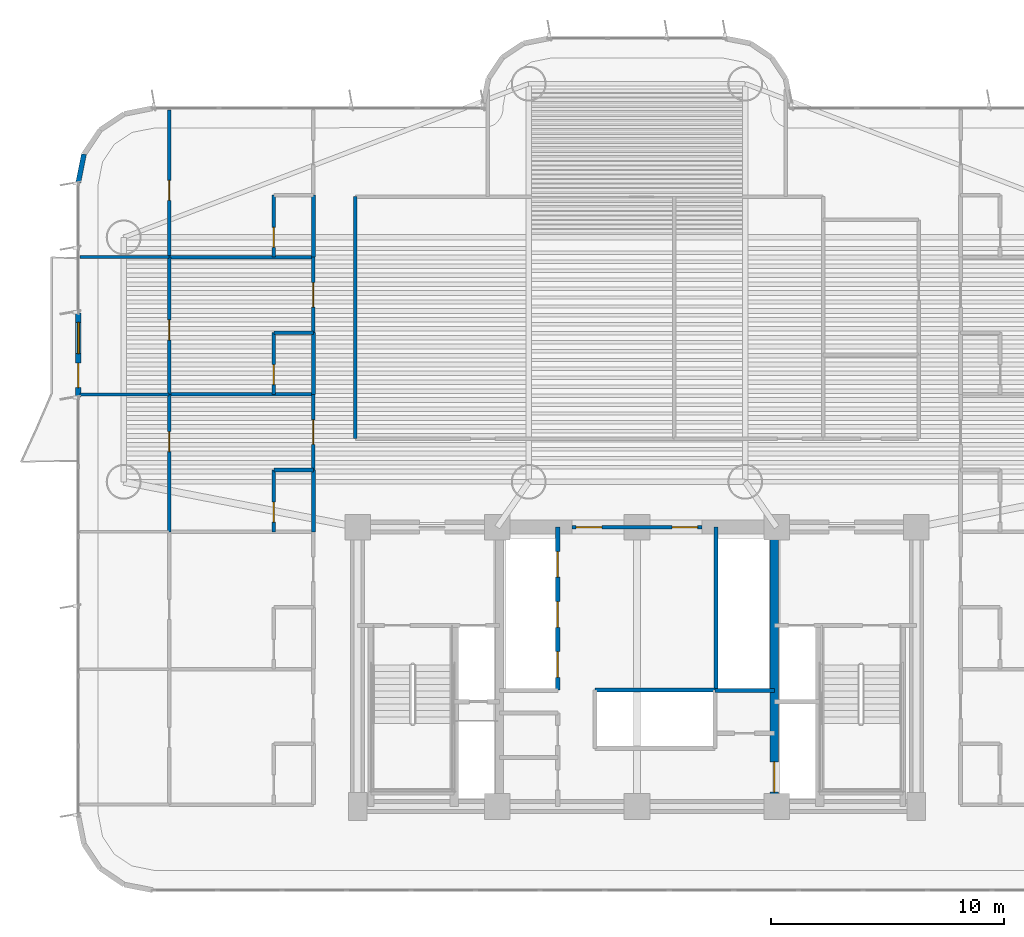
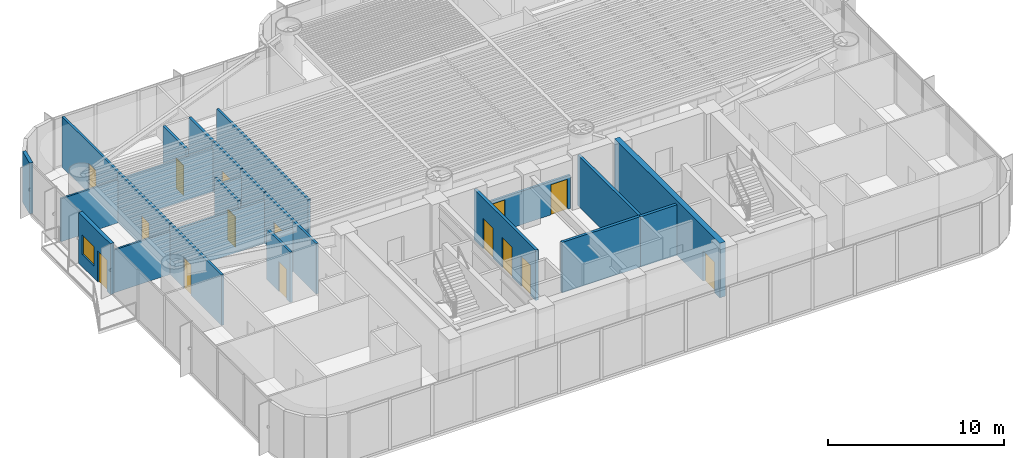
# One storey, part 11 of 18: 26 walls, 15 doors, 1 window, 16 openings.
"""IFC4 building model written with IfcOpenShell, lengths in metres."""

from ifc_helpers import new_model, si_unit, direction, frame, frame_2d, origin, origin_2d, place, context, subcontext, project, spatial, rectangle, extrude, source, transform, mapped, material, layer, layer_set, type_object, element, fill, save


model = new_model("IFC4")

# Units and contexts
model_context = context("Model", 3, precision=1e-05, world=origin(), true_north=direction((0.0, 1.0)))
body_context = subcontext(model_context, "Body", "Model", "MODEL_VIEW")
ifc_project = project(units=[si_unit("LENGTHUNIT", "METRE"), si_unit("AREAUNIT", "SQUARE_METRE"), si_unit("VOLUMEUNIT", "CUBIC_METRE"), si_unit("PLANEANGLEUNIT", "RADIAN"), si_unit("MASSUNIT", "GRAM", prefix="KILO")], contexts=[model_context])

# Site, building, storey
site_placement = place(None, origin())
site = spatial("IfcSite", under=ifc_project, at=site_placement, CompositionType="ELEMENT")
building_placement = place(site_placement, origin())
building = spatial("IfcBuilding", under=site, at=building_placement, Name="Brelvock Crest Care Tower", CompositionType="ELEMENT")
storey_placement = place(building_placement, frame((0.0, 0.0, 42.1201171875)))
storey = spatial("IfcBuildingStorey", under=building, at=storey_placement, Name="L10", CompositionType="ELEMENT", Elevation=42.1201171875)

# Wall, opening, door
ifc_material_1 = material(Name="Concrete S80 (80 MPa)", Category="concrete")
ifc_layer_1 = layer(ifc_material_1, 0.35009765625, Name="WL-CS5")
ifc_layer_set_1 = layer_set([ifc_layer_1], Name="Concrete S80 (80 MPa)")
wall_type_1 = type_object("IfcWallType", Name="WL-CS5", PredefinedType="SHEAR", material=ifc_layer_set_1)
wall_1_placement = place(storey_placement, frame((41.89990234375, 18.0, 0.0), z_axis=(0.0, 0.0, 1.0), x_axis=(0.0, -1.0, 0.0)))
wall_1 = element("IfcWall", 1, at=wall_1_placement, inside=storey, type_object=wall_type_1, Name="L10 Core Internal Web Wall East", PredefinedType="SHEAR", context=body_context, shape_type="SweptSolid", body=[
    extrude(rectangle(XDim=12.0, YDim=0.35009765625, at=frame_2d((6.0, 0.0))), origin(), (0.0, 0.0, 1.0), 3.77978515625),
])
opening_1_placement = place(wall_1_placement, frame((10.080078125, 0.0, 0.0)))
opening_1 = element("IfcOpeningElement", 2, at=opening_1_placement, cuts=wall_1, Name="Opening LD-S", PredefinedType="OPENING", context=body_context, shape_type="SweptSolid", body=[
    extrude(rectangle(XDim=1.300048828125, YDim=2.10009765625, at=origin_2d()), frame((0.64990234375, 0.18505859375, 1.050048828125), z_axis=(0.0, -1.0, 0.0), x_axis=(1.0, 0.0, 0.0)), (0.0, 0.0, 1.0), 0.3701171875),
])
ifc_material_2 = material(Name="Steel Grade 350", Category="steel")
door_type_1 = type_object("IfcDoorType", Name="DR-LDS1", OperationType="NOTDEFINED", PredefinedType="DOOR", material=ifc_material_2)
shared_shape_1 = source(origin(), body_context, "Body", "SweptSolid", [
    extrude(rectangle(XDim=1.300048828125, YDim=2.10009765625, at=origin_2d()), frame((0.64990234375, 0.02490234375, 1.050048828125), z_axis=(0.0, -1.0, 0.0), x_axis=(1.0, 0.0, 0.0)), (0.0, 0.0, 1.0), 0.050048828125),
])
door_1_placement = place(opening_1_placement, origin())
door_1 = element("IfcDoor", 3, at=door_1_placement, inside=storey, type_object=door_type_1, Name="L10 Clinical Bed Lift SL-1 Landing Door", OperationType="SLIDING_TO_LEFT", OverallHeight=2.10009765625, OverallWidth=1.300048828125, PredefinedType="DOOR", context=body_context, shape_type="MappedRepresentation", body=[
    mapped(shared_shape_1, transform((0.0, 0.0, 0.0), x_axis=(1.0, 0.0, 0.0), y_axis=(0.0, 1.0, 0.0), z_axis=(0.0, 0.0, 1.0), scale=1.0)),
])
fill(opening_1, door_1)

# Wall, openings, door, window
ifc_material_3 = material(Name="Precast concrete N40 (40 MPa)", Category="concrete")
ifc_layer_2 = layer(ifc_material_3, 0.239990234375, Name="WL-EX1")
ifc_layer_set_2 = layer_set([ifc_layer_2], Name="Precast concrete N40 (40 MPa)")
wall_type_2 = type_object("IfcWallType", Name="WL-EX1", PredefinedType="SOLIDWALL", material=ifc_layer_set_2)
wall_2_placement = place(storey_placement, frame((12.0, 23.60009765625, 0.0), z_axis=(0.0, 0.0, 1.0), x_axis=(0.0, 1.0, 0.0)))
wall_2 = element("IfcWall", 4, at=wall_2_placement, inside=storey, type_object=wall_type_2, Name="L10 Exterior Spandrel Wall WL-BAL-L10-W", PredefinedType="SOLIDWALL", context=body_context, shape_type="SweptSolid", body=[
    extrude(rectangle(XDim=3.599853515625, YDim=0.239990234375, at=frame_2d((1.7998046875, 0.0))), origin(), (0.0, 0.0, 1.0), 3.52978515625),
])
opening_2_placement = place(wall_2_placement, frame((0.39990234375, 0.0, 0.0)))
opening_2 = element("IfcOpeningElement", 5, at=opening_2_placement, cuts=wall_2, Name="Opening BD-1", PredefinedType="OPENING", context=body_context, shape_type="SweptSolid", body=[
    extrude(rectangle(XDim=1.050048828125, YDim=2.14990234375, at=origin_2d()), frame((0.52490234375, 0.1298828125, 1.074951171875), z_axis=(0.0, -1.0, 0.0), x_axis=(1.0, 0.0, 0.0)), (0.0, 0.0, 1.0), 0.260009765625),
])
opening_3_placement = place(wall_2_placement, frame((1.85009765625, 0.0, 0.85009765625)))
opening_3 = element("IfcOpeningElement", 6, at=opening_3_placement, cuts=wall_2, Name="Opening W-01", PredefinedType="OPENING", context=body_context, shape_type="SweptSolid", body=[
    extrude(rectangle(XDim=1.35009765625, YDim=1.35009765625, at=origin_2d()), frame((0.675048828125, 0.1298828125, 0.675048828125), z_axis=(0.0, -1.0, 0.0), x_axis=(1.0, 0.0, 0.0)), (0.0, 0.0, 1.0), 0.260009765625),
])
ifc_material_4 = material(Name="Dark Glass Double Glazed Low-E", Category="glass")
door_type_2 = type_object("IfcDoorType", Name="DR-BAL1", OperationType="NOTDEFINED", PredefinedType="DOOR", material=ifc_material_4)
shared_shape_2 = source(origin(), body_context, "Body", "SweptSolid", [
    extrude(rectangle(XDim=1.050048828125, YDim=2.14990234375, at=origin_2d()), frame((0.52490234375, 0.02490234375, 1.074951171875), z_axis=(0.0, -1.0, 0.0), x_axis=(1.0, 0.0, 0.0)), (0.0, 0.0, 1.0), 0.050048828125),
])
door_2_placement = place(opening_2_placement, origin())
door_2 = element("IfcDoor", 7, at=door_2_placement, inside=storey, type_object=door_type_2, Name="L10 W Wave Balcony Glazed Door", OperationType="SINGLE_SWING_LEFT", OverallHeight=2.14990234375, OverallWidth=1.050048828125, PredefinedType="DOOR", context=body_context, shape_type="MappedRepresentation", body=[
    mapped(shared_shape_2, transform((0.0, 0.0, 0.0), x_axis=(1.0, 0.0, 0.0), y_axis=(0.0, 1.0, 0.0), z_axis=(0.0, 0.0, 1.0), scale=1.0)),
])
fill(opening_2, door_2)
window_type = type_object("IfcWindowType", Name="WN-EX1", PartitioningType="SINGLE_PANEL", PredefinedType="WINDOW", material=ifc_material_4)
shared_shape_3 = source(origin(), body_context, "Body", "SweptSolid", [
    extrude(rectangle(XDim=1.35009765625, YDim=1.35009765625, at=origin_2d()), frame((0.675048828125, 0.030029296875, 0.675048828125), z_axis=(0.0, -1.0, 0.0), x_axis=(1.0, 0.0, 0.0)), (0.0, 0.0, 1.0), 0.06005859375),
])
window_placement = place(opening_3_placement, origin())
window = element("IfcWindow", 8, at=window_placement, inside=storey, type_object=window_type, Name="L10 W Suite Casement Window", OverallHeight=1.35009765625, OverallWidth=1.35009765625, PartitioningType="SINGLE_PANEL", PredefinedType="WINDOW", context=body_context, shape_type="MappedRepresentation", body=[
    mapped(shared_shape_3, transform((0.0, 0.0, 0.0), x_axis=(1.0, 0.0, 0.0), y_axis=(0.0, 1.0, 0.0), z_axis=(0.0, 0.0, 1.0), scale=1.0)),
])
fill(opening_3, window)

# Wall
ifc_layer_3 = layer(ifc_material_3, 0.215087890625, Name="WL-EX2")
ifc_layer_set_3 = layer_set([ifc_layer_3], Name="Precast concrete N40 (40 MPa)")
wall_type_3 = type_object("IfcWallType", Name="WL-EX2", PredefinedType="SOLIDWALL", material=ifc_layer_set_3)
wall_3_placement = place(storey_placement, frame((12.0, 32.800048828125, 0.0), z_axis=(0.0, 0.0, 1.0), x_axis=(0.195138390419, 0.980775717779, 0.0)))
element("IfcWall", 9, at=wall_3_placement, inside=storey, type_object=wall_type_3, Name="L10 Rounded Corner Wall 14", PredefinedType="SOLIDWALL", context=body_context, shape_type="SweptSolid", body=[
    extrude(rectangle(XDim=1.24853515625, YDim=0.215087890625, at=frame_2d((0.624267578125, 0.0))), origin(), (0.0, 0.0, 1.0), 3.52978515625),
])

# Wall, openings, doors
ifc_material_5 = material(Name="Masonry Blockwork Acoustic Partition", Category="masonry")
ifc_layer_4 = layer(ifc_material_5, 0.14990234375, Name="WL-INT1")
ifc_layer_set_4 = layer_set([ifc_layer_4], Name="Masonry Blockwork Acoustic Partition")
wall_type_4 = type_object("IfcWallType", Name="WL-INT1", PredefinedType="PARTITIONING", material=ifc_layer_set_4)
wall_4_placement = place(storey_placement, frame((33.199951171875, 18.0, 0.0), z_axis=(0.0, 0.0, 1.0), x_axis=(1.0, 0.0, 0.0)))
wall_4 = element("IfcWall", 10, at=wall_4_placement, inside=storey, type_object=wall_type_4, Name="L10 Interior Wall WL-CORE-NPORT-L10", PredefinedType="PARTITIONING", context=body_context, shape_type="SweptSolid", body=[
    extrude(rectangle(XDim=5.60009765625, YDim=0.14990234375, at=frame_2d((2.800048828125, 0.0))), origin(), (0.0, 0.0, 1.0), 2.31494140625),
])
opening_4_placement = place(wall_4_placement, frame((0.18994140625, 0.0, 0.0)))
opening_4 = element("IfcOpeningElement", 11, at=opening_4_placement, cuts=wall_4, Name="Opening FD-1", PredefinedType="OPENING", context=body_context, shape_type="SweptSolid", body=[
    extrude(rectangle(XDim=1.10009765625, YDim=2.10009765625, at=origin_2d()), frame((0.550048828125, 0.0849609375, 1.050048828125), z_axis=(0.0, -1.0, 0.0), x_axis=(1.0, 0.0, 0.0)), (0.0, 0.0, 1.0), 0.169921875),
])
opening_5_placement = place(wall_4_placement, frame((4.31005859375, 0.0, 0.0)))
opening_5 = element("IfcOpeningElement", 12, at=opening_5_placement, cuts=wall_4, Name="Opening FD-1", PredefinedType="OPENING", context=body_context, shape_type="SweptSolid", body=[
    extrude(rectangle(XDim=1.10009765625, YDim=2.10009765625, at=origin_2d()), frame((0.550048828125, 0.0849609375, 1.050048828125), z_axis=(0.0, -1.0, 0.0), x_axis=(1.0, 0.0, 0.0)), (0.0, 0.0, 1.0), 0.169921875),
])
door_type_3 = type_object("IfcDoorType", Name="DR-FFL1", OperationType="NOTDEFINED", PredefinedType="DOOR", material=ifc_material_2)
shared_shape_4 = source(origin(), body_context, "Body", "SweptSolid", [
    extrude(rectangle(XDim=1.10009765625, YDim=2.10009765625, at=origin_2d()), frame((0.550048828125, 0.02490234375, 1.050048828125), z_axis=(0.0, -1.0, 0.0), x_axis=(1.0, 0.0, 0.0)), (0.0, 0.0, 1.0), 0.050048828125),
])
door_3_placement = place(opening_4_placement, origin())
door_3 = element("IfcDoor", 13, at=door_3_placement, inside=storey, type_object=door_type_3, Name="L10 Lift Lobby North Smoke Door West", OperationType="SINGLE_SWING_LEFT", OverallHeight=2.10009765625, OverallWidth=1.10009765625, PredefinedType="DOOR", context=body_context, shape_type="MappedRepresentation", body=[
    mapped(shared_shape_4, transform((0.0, 0.0, 0.0), x_axis=(1.0, 0.0, 0.0), y_axis=(0.0, 1.0, 0.0), z_axis=(0.0, 0.0, 1.0), scale=1.0)),
])
fill(opening_4, door_3)
door_4_placement = place(opening_5_placement, origin())
door_4 = element("IfcDoor", 14, at=door_4_placement, inside=storey, type_object=door_type_3, Name="L10 Lift Lobby North Smoke Door East", OperationType="SINGLE_SWING_RIGHT", OverallHeight=2.10009765625, OverallWidth=1.10009765625, PredefinedType="DOOR", context=body_context, shape_type="MappedRepresentation", body=[
    mapped(shared_shape_4, transform((0.0, 0.0, 0.0), x_axis=(1.0, 0.0, 0.0), y_axis=(0.0, 1.0, 0.0), z_axis=(0.0, 0.0, 1.0), scale=1.0)),
])
fill(opening_5, door_4)

# Walls
for number, where, z_axis, x_axis, name in (
    (15, (15.89990234375, 23.699951171875, 0.0), (0.0, 0.0, 1.0), (1.0, 0.0, 0.0), "L10 Interior Wall WL-BX-L10-CS-WC3-N"),
    (16, (15.89990234375, 29.60009765625, 0.0), (0.0, 0.0, 1.0), (1.0, 0.0, 0.0), "L10 Interior Wall WL-BX-L10-CS-WC4-N"),
):
    element("IfcWall", number, at=place(storey_placement, frame(where, z_axis=z_axis, x_axis=x_axis)), inside=storey, type_object=wall_type_4, Name=name, PredefinedType="PARTITIONING", context=body_context, shape_type="SweptSolid", body=[
        extrude(rectangle(XDim=6.2001953125, YDim=0.14990234375, at=frame_2d((3.10009765625, 0.0))), origin(), (0.0, 0.0, 1.0), 2.98193359375),
    ])

# Wall, opening, door
wall_5_placement = place(storey_placement, frame((15.89990234375, 17.800048828125, 0.0), z_axis=(0.0, 0.0, 1.0), x_axis=(0.0, 1.0, 0.0)))
wall_5 = element("IfcWall", 17, at=wall_5_placement, inside=storey, type_object=wall_type_4, Name="L10 Interior Wall WL-RM-L10-WC3S", PredefinedType="PARTITIONING", context=body_context, shape_type="SweptSolid", body=[
    extrude(rectangle(XDim=5.89990234375, YDim=0.14990234375, at=frame_2d((2.949951171875, 0.0))), origin(), (0.0, 0.0, 1.0), 3.5),
])
opening_6_placement = place(wall_5_placement, frame((3.43994140625, 0.0, 0.0)))
opening_6 = element("IfcOpeningElement", 18, at=opening_6_placement, cuts=wall_5, Name="Opening ID-1", PredefinedType="OPENING", context=body_context, shape_type="SweptSolid", body=[
    extrude(rectangle(XDim=0.860107421875, YDim=2.10009765625, at=origin_2d()), frame((0.43017578125, 0.0849609375, 1.050048828125), z_axis=(0.0, -1.0, 0.0), x_axis=(1.0, 0.0, 0.0)), (0.0, 0.0, 1.0), 0.169921875),
])
ifc_material_6 = material(Name="Engineered Hardwood Timber", Category="wood")
door_type_4 = type_object("IfcDoorType", Name="DR-INT1", OperationType="NOTDEFINED", PredefinedType="DOOR", material=ifc_material_6)
shared_shape_5 = source(origin(), body_context, "Body", "SweptSolid", [
    extrude(rectangle(XDim=0.860107421875, YDim=2.10009765625, at=origin_2d()), frame((0.43017578125, 0.02490234375, 1.050048828125), z_axis=(0.0, -1.0, 0.0), x_axis=(1.0, 0.0, 0.0)), (0.0, 0.0, 1.0), 0.050048828125),
])
door_5_placement = place(opening_6_placement, origin())
door_5 = element("IfcDoor", 19, at=door_5_placement, inside=storey, type_object=door_type_4, Name="L10 Assisted Care Mobility Store Door WC3S", OperationType="SINGLE_SWING_LEFT", OverallHeight=2.10009765625, OverallWidth=0.860107421875, PredefinedType="DOOR", context=body_context, shape_type="MappedRepresentation", body=[
    mapped(shared_shape_5, transform((0.0, 0.0, 0.0), x_axis=(1.0, 0.0, 0.0), y_axis=(0.0, 1.0, 0.0), z_axis=(0.0, 0.0, 1.0), scale=1.0)),
])
fill(opening_6, door_5)

wall_6_placement = place(storey_placement, frame((15.89990234375, 23.699951171875, 0.0), z_axis=(0.0, 0.0, 1.0), x_axis=(0.0, 1.0, 0.0)))
wall_6 = element("IfcWall", 20, at=wall_6_placement, inside=storey, type_object=wall_type_4, Name="L10 Interior Wall WL-RM-L10-WC4S", PredefinedType="PARTITIONING", context=body_context, shape_type="SweptSolid", body=[
    extrude(rectangle(XDim=5.900146484375, YDim=0.14990234375, at=frame_2d((2.9501953125, 0.0))), origin(), (0.0, 0.0, 1.0), 3.5),
])
opening_7_placement = place(wall_6_placement, frame((2.340087890625, 0.0, 0.0)))
opening_7 = element("IfcOpeningElement", 21, at=opening_7_placement, cuts=wall_6, Name="Opening ID-1", PredefinedType="OPENING", context=body_context, shape_type="SweptSolid", body=[
    extrude(rectangle(XDim=0.860107421875, YDim=2.10009765625, at=origin_2d()), frame((0.43017578125, 0.0849609375, 1.050048828125), z_axis=(0.0, -1.0, 0.0), x_axis=(1.0, 0.0, 0.0)), (0.0, 0.0, 1.0), 0.169921875),
])
door_6_placement = place(opening_7_placement, origin())
door_6 = element("IfcDoor", 22, at=door_6_placement, inside=storey, type_object=door_type_4, Name="L10 Assisted Care Mobility Store Door WC4S", OperationType="SINGLE_SWING_LEFT", OverallHeight=2.10009765625, OverallWidth=0.860107421875, PredefinedType="DOOR", context=body_context, shape_type="MappedRepresentation", body=[
    mapped(shared_shape_5, transform((0.0, 0.0, 0.0), x_axis=(1.0, 0.0, 0.0), y_axis=(0.0, 1.0, 0.0), z_axis=(0.0, 0.0, 1.0), scale=1.0)),
])
fill(opening_7, door_6)

wall_7_placement = place(storey_placement, frame((15.89990234375, 29.60009765625, 0.0), z_axis=(0.0, 0.0, 1.0), x_axis=(0.0, 1.0, 0.0)))
wall_7 = element("IfcWall", 23, at=wall_7_placement, inside=storey, type_object=wall_type_4, Name="L10 Interior Wall WL-RM-L10-WC5S", PredefinedType="PARTITIONING", context=body_context, shape_type="SweptSolid", body=[
    extrude(rectangle(XDim=6.320068359375, YDim=0.14990234375, at=frame_2d((3.16015625, 0.0))), origin(), (0.0, 0.0, 1.0), 3.5),
])
opening_8_placement = place(wall_7_placement, frame((2.43994140625, 0.0, 0.0)))
opening_8 = element("IfcOpeningElement", 24, at=opening_8_placement, cuts=wall_7, Name="Opening ID-1", PredefinedType="OPENING", context=body_context, shape_type="SweptSolid", body=[
    extrude(rectangle(XDim=0.860107421875, YDim=2.10009765625, at=origin_2d()), frame((0.43017578125, 0.0849609375, 1.050048828125), z_axis=(0.0, -1.0, 0.0), x_axis=(1.0, 0.0, 0.0)), (0.0, 0.0, 1.0), 0.169921875),
])
door_7_placement = place(opening_8_placement, origin())
door_7 = element("IfcDoor", 25, at=door_7_placement, inside=storey, type_object=door_type_4, Name="L10 Assisted Care Mobility Store Door WC5S", OperationType="SINGLE_SWING_LEFT", OverallHeight=2.10009765625, OverallWidth=0.860107421875, PredefinedType="DOOR", context=body_context, shape_type="MappedRepresentation", body=[
    mapped(shared_shape_5, transform((0.0, 0.0, 0.0), x_axis=(1.0, 0.0, 0.0), y_axis=(0.0, 1.0, 0.0), z_axis=(0.0, 0.0, 1.0), scale=1.0)),
])
fill(opening_8, door_7)

wall_8_placement = place(storey_placement, frame((22.10009765625, 20.455078125, 0.0), z_axis=(0.0, 0.0, 1.0), x_axis=(0.0, 1.0, 0.0)))
wall_8 = element("IfcWall", 26, at=wall_8_placement, inside=storey, type_object=wall_type_4, Name="L10 Interior Wall WL-CENT-L10-WC3", PredefinedType="PARTITIONING", context=body_context, shape_type="SweptSolid", body=[
    extrude(rectangle(XDim=3.244873046875, YDim=0.14990234375, at=frame_2d((1.62255859375, 0.0))), origin(), (0.0, 0.0, 1.0), 3.5),
])
opening_9_placement = place(wall_8_placement, frame((1.10302734375, 0.0, 0.0)))
opening_9 = element("IfcOpeningElement", 27, at=opening_9_placement, cuts=wall_8, Name="Opening CD-1", PredefinedType="OPENING", context=body_context, shape_type="SweptSolid", body=[
    extrude(rectangle(XDim=1.050048828125, YDim=2.10009765625, at=origin_2d()), frame((0.52490234375, 0.0849609375, 1.050048828125), z_axis=(0.0, -1.0, 0.0), x_axis=(1.0, 0.0, 0.0)), (0.0, 0.0, 1.0), 0.169921875),
])
door_type_5 = type_object("IfcDoorType", Name="DR-CARE1", OperationType="NOTDEFINED", PredefinedType="DOOR", material=ifc_material_6)
shared_shape_6 = source(origin(), body_context, "Body", "SweptSolid", [
    extrude(rectangle(XDim=1.050048828125, YDim=2.10009765625, at=origin_2d()), frame((0.52490234375, 0.02490234375, 1.050048828125), z_axis=(0.0, -1.0, 0.0), x_axis=(1.0, 0.0, 0.0)), (0.0, 0.0, 1.0), 0.050048828125),
])
door_8_placement = place(opening_9_placement, origin())
door_8 = element("IfcDoor", 28, at=door_8_placement, inside=storey, type_object=door_type_5, Name="L10 Care Suite Door WC3", OperationType="SINGLE_SWING_LEFT", OverallHeight=2.10009765625, OverallWidth=1.050048828125, PredefinedType="DOOR", context=body_context, shape_type="MappedRepresentation", body=[
    mapped(shared_shape_6, transform((0.0, 0.0, 0.0), x_axis=(1.0, 0.0, 0.0), y_axis=(0.0, 1.0, 0.0), z_axis=(0.0, 0.0, 1.0), scale=1.0)),
])
fill(opening_9, door_8)

wall_9_placement = place(storey_placement, frame((22.10009765625, 26.35498046875, 0.0), z_axis=(0.0, 0.0, 1.0), x_axis=(0.0, 1.0, 0.0)))
wall_9 = element("IfcWall", 29, at=wall_9_placement, inside=storey, type_object=wall_type_4, Name="L10 Interior Wall WL-CENT-L10-WC4", PredefinedType="PARTITIONING", context=body_context, shape_type="SweptSolid", body=[
    extrude(rectangle(XDim=3.2451171875, YDim=0.14990234375, at=frame_2d((1.62255859375, 0.0))), origin(), (0.0, 0.0, 1.0), 3.5),
])
opening_10_placement = place(wall_9_placement, frame((1.10302734375, 0.0, 0.0)))
opening_10 = element("IfcOpeningElement", 30, at=opening_10_placement, cuts=wall_9, Name="Opening CD-1", PredefinedType="OPENING", context=body_context, shape_type="SweptSolid", body=[
    extrude(rectangle(XDim=1.050048828125, YDim=2.10009765625, at=origin_2d()), frame((0.52490234375, 0.0849609375, 1.050048828125), z_axis=(0.0, -1.0, 0.0), x_axis=(1.0, 0.0, 0.0)), (0.0, 0.0, 1.0), 0.169921875),
])
door_9_placement = place(opening_10_placement, origin())
door_9 = element("IfcDoor", 31, at=door_9_placement, inside=storey, type_object=door_type_5, Name="L10 Care Suite Door WC4", OperationType="SINGLE_SWING_LEFT", OverallHeight=2.10009765625, OverallWidth=1.050048828125, PredefinedType="DOOR", context=body_context, shape_type="MappedRepresentation", body=[
    mapped(shared_shape_6, transform((0.0, 0.0, 0.0), x_axis=(1.0, 0.0, 0.0), y_axis=(0.0, 1.0, 0.0), z_axis=(0.0, 0.0, 1.0), scale=1.0)),
])
fill(opening_10, door_9)

# Walls
wall_10_placement = place(storey_placement, frame((23.89990234375, 21.800048828125, 0.0), z_axis=(0.0, 0.0, 1.0), x_axis=(0.0, 1.0, 0.0)))
element("IfcWall", 32, at=wall_10_placement, inside=storey, type_object=wall_type_4, Name="L10 Interior Wall WL-BX-L10-CNW-W", PredefinedType="PARTITIONING", context=body_context, shape_type="SweptSolid", body=[
    extrude(rectangle(XDim=10.39990234375, YDim=0.14990234375, at=frame_2d((5.199951171875, 0.0))), origin(), (0.0, 0.0, 1.0), 3.5),
])
ifc_material_7 = material(Name="Gypsum Plasterboard Partition", Category="gypsum")
ifc_layer_5 = layer(ifc_material_7, 0.1201171875, Name="WL-INT2")
ifc_layer_set_5 = layer_set([ifc_layer_5], Name="Gypsum Plasterboard Partition")
wall_type_5 = type_object("IfcWallType", Name="WL-INT2", PredefinedType="PARTITIONING", material=ifc_layer_set_5)
for number, where, z_axis, x_axis, name in (
    (33, (12.080078125, 23.699951171875, 0.0), (0.0, 0.0, 1.0), (1.0, 0.0, 0.0), "L10 Interior Wall WL-BX-L10-WC3S-N"),
    (34, (12.080078125, 29.60009765625, 0.0), (0.0, 0.0, 1.0), (1.0, 0.0, 0.0), "L10 Interior Wall WL-BX-L10-WC4S-N"),
):
    element("IfcWall", number, at=place(storey_placement, frame(where, z_axis=z_axis, x_axis=x_axis)), inside=storey, type_object=wall_type_5, Name=name, PredefinedType="PARTITIONING", context=body_context, shape_type="SweptSolid", body=[
        extrude(rectangle(XDim=3.81982421875, YDim=0.1201171875, at=frame_2d((1.909912109375, 0.0))), origin(), (0.0, 0.0, 1.0), 2.98193359375),
    ])
ifc_layer_6 = layer(ifc_material_7, 0.159912109375, Name="WL-PLM1")
ifc_layer_set_6 = layer_set([ifc_layer_6], Name="Gypsum Plasterboard Partition")
wall_type_6 = type_object("IfcWallType", Name="WL-PLM1", PredefinedType="PLUMBINGWALL", material=ifc_layer_set_6)
for number, where, z_axis, x_axis, name in (
    (35, (20.39990234375, 20.455078125, 0.0), (0.0, 0.0, 1.0), (1.0, 0.0, 0.0), "L10 Interior Wall WL-CENS2-L10-WC3"),
    (36, (20.39990234375, 26.35498046875, 0.0), (0.0, 0.0, 1.0), (1.0, 0.0, 0.0), "L10 Interior Wall WL-CENS2-L10-WC4"),
):
    element("IfcWall", number, at=place(storey_placement, frame(where, z_axis=z_axis, x_axis=x_axis)), inside=storey, type_object=wall_type_6, Name=name, PredefinedType="PLUMBINGWALL", context=body_context, shape_type="SweptSolid", body=[
        extrude(rectangle(XDim=1.7001953125, YDim=0.159912109375, at=frame_2d((0.85009765625, 0.0))), origin(), (0.0, 0.0, 1.0), 2.98193359375),
    ])

# Wall, opening, door
wall_11_placement = place(storey_placement, frame((20.39990234375, 17.800048828125, 0.0), z_axis=(0.0, 0.0, 1.0), x_axis=(0.0, 1.0, 0.0)))
wall_11 = element("IfcWall", 37, at=wall_11_placement, inside=storey, type_object=wall_type_6, Name="L10 Interior Wall WL-CENS1-L10-WC3", PredefinedType="PLUMBINGWALL", context=body_context, shape_type="SweptSolid", body=[
    extrude(rectangle(XDim=2.655029296875, YDim=0.159912109375, at=frame_2d((1.32763671875, 0.0))), origin(), (0.0, 0.0, 1.0), 3.5),
])
opening_11_placement = place(wall_11_placement, frame((0.419921875, 0.0, 0.0)))
opening_11 = element("IfcOpeningElement", 38, at=opening_11_placement, cuts=wall_11, Name="Opening WD-1", PredefinedType="OPENING", context=body_context, shape_type="SweptSolid", body=[
    extrude(rectangle(XDim=0.860107421875, YDim=2.10009765625, at=origin_2d()), frame((0.43017578125, 0.08984375, 1.050048828125), z_axis=(0.0, -1.0, 0.0), x_axis=(1.0, 0.0, 0.0)), (0.0, 0.0, 1.0), 0.179931640625),
])
door_type_6 = type_object("IfcDoorType", Name="DR-WC1", OperationType="NOTDEFINED", PredefinedType="DOOR", material=ifc_material_6)
shared_shape_7 = source(origin(), body_context, "Body", "SweptSolid", [
    extrude(rectangle(XDim=0.860107421875, YDim=2.10009765625, at=origin_2d()), frame((0.43017578125, 0.02490234375, 1.050048828125), z_axis=(0.0, -1.0, 0.0), x_axis=(1.0, 0.0, 0.0)), (0.0, 0.0, 1.0), 0.050048828125),
])
door_10_placement = place(opening_11_placement, origin())
door_10 = element("IfcDoor", 39, at=door_10_placement, inside=storey, type_object=door_type_6, Name="L10 Care En-Suite Door WC3", OperationType="SINGLE_SWING_LEFT", OverallHeight=2.10009765625, OverallWidth=0.860107421875, PredefinedType="DOOR", context=body_context, shape_type="MappedRepresentation", body=[
    mapped(shared_shape_7, transform((0.0, 0.0, 0.0), x_axis=(1.0, 0.0, 0.0), y_axis=(0.0, 1.0, 0.0), z_axis=(0.0, 0.0, 1.0), scale=1.0)),
])
fill(opening_11, door_10)

wall_12_placement = place(storey_placement, frame((20.39990234375, 23.699951171875, 0.0), z_axis=(0.0, 0.0, 1.0), x_axis=(0.0, 1.0, 0.0)))
wall_12 = element("IfcWall", 40, at=wall_12_placement, inside=storey, type_object=wall_type_6, Name="L10 Interior Wall WL-CENS1-L10-WC4", PredefinedType="PLUMBINGWALL", context=body_context, shape_type="SweptSolid", body=[
    extrude(rectangle(XDim=2.655029296875, YDim=0.159912109375, at=frame_2d((1.32763671875, 0.0))), origin(), (0.0, 0.0, 1.0), 3.5),
])
opening_12_placement = place(wall_12_placement, frame((0.419921875, 0.0, 0.0)))
opening_12 = element("IfcOpeningElement", 41, at=opening_12_placement, cuts=wall_12, Name="Opening WD-1", PredefinedType="OPENING", context=body_context, shape_type="SweptSolid", body=[
    extrude(rectangle(XDim=0.860107421875, YDim=2.10009765625, at=origin_2d()), frame((0.43017578125, 0.08984375, 1.050048828125), z_axis=(0.0, -1.0, 0.0), x_axis=(1.0, 0.0, 0.0)), (0.0, 0.0, 1.0), 0.179931640625),
])
door_11_placement = place(opening_12_placement, origin())
door_11 = element("IfcDoor", 42, at=door_11_placement, inside=storey, type_object=door_type_6, Name="L10 Care En-Suite Door WC4", OperationType="SINGLE_SWING_LEFT", OverallHeight=2.10009765625, OverallWidth=0.860107421875, PredefinedType="DOOR", context=body_context, shape_type="MappedRepresentation", body=[
    mapped(shared_shape_7, transform((0.0, 0.0, 0.0), x_axis=(1.0, 0.0, 0.0), y_axis=(0.0, 1.0, 0.0), z_axis=(0.0, 0.0, 1.0), scale=1.0)),
])
fill(opening_12, door_11)

wall_13_placement = place(storey_placement, frame((20.39990234375, 29.60009765625, 0.0), z_axis=(0.0, 0.0, 1.0), x_axis=(0.0, 1.0, 0.0)))
wall_13 = element("IfcWall", 43, at=wall_13_placement, inside=storey, type_object=wall_type_6, Name="L10 Interior Wall WL-CENS1-L10-WC5", PredefinedType="PLUMBINGWALL", context=body_context, shape_type="SweptSolid", body=[
    extrude(rectangle(XDim=2.663818359375, YDim=0.159912109375, at=frame_2d((1.33203125, 0.0))), origin(), (0.0, 0.0, 1.0), 3.5),
])
opening_13_placement = place(wall_13_placement, frame((0.419921875, 0.0, 0.0)))
opening_13 = element("IfcOpeningElement", 44, at=opening_13_placement, cuts=wall_13, Name="Opening WD-1", PredefinedType="OPENING", context=body_context, shape_type="SweptSolid", body=[
    extrude(rectangle(XDim=0.860107421875, YDim=2.10009765625, at=origin_2d()), frame((0.43017578125, 0.08984375, 1.050048828125), z_axis=(0.0, -1.0, 0.0), x_axis=(1.0, 0.0, 0.0)), (0.0, 0.0, 1.0), 0.179931640625),
])
door_12_placement = place(opening_13_placement, origin())
door_12 = element("IfcDoor", 45, at=door_12_placement, inside=storey, type_object=door_type_6, Name="L10 Care En-Suite Door WC5", OperationType="SINGLE_SWING_LEFT", OverallHeight=2.10009765625, OverallWidth=0.860107421875, PredefinedType="DOOR", context=body_context, shape_type="MappedRepresentation", body=[
    mapped(shared_shape_7, transform((0.0, 0.0, 0.0), x_axis=(1.0, 0.0, 0.0), y_axis=(0.0, 1.0, 0.0), z_axis=(0.0, 0.0, 1.0), scale=1.0)),
])
fill(opening_13, door_12)

# Walls
for number, where, z_axis, x_axis, name in (
    (46, (22.10009765625, 17.800048828125, 0.0), (0.0, 0.0, 1.0), (0.0, 1.0, 0.0), "L10 Interior Wall WL-CENS0-L10-WC3"),
    (47, (22.10009765625, 23.699951171875, 0.0), (0.0, 0.0, 1.0), (0.0, 1.0, 0.0), "L10 Interior Wall WL-CENS0-L10-WC4"),
):
    element("IfcWall", number, at=place(storey_placement, frame(where, z_axis=z_axis, x_axis=x_axis)), inside=storey, type_object=wall_type_6, Name=name, PredefinedType="PLUMBINGWALL", context=body_context, shape_type="SweptSolid", body=[
        extrude(rectangle(XDim=2.655029296875, YDim=0.159912109375, at=frame_2d((1.32763671875, 0.0))), origin(), (0.0, 0.0, 1.0), 3.5),
    ])
wall_14_placement = place(storey_placement, frame((22.10009765625, 29.60009765625, 0.0), z_axis=(0.0, 0.0, 1.0), x_axis=(0.0, 1.0, 0.0)))
element("IfcWall", 48, at=wall_14_placement, inside=storey, type_object=wall_type_6, Name="L10 Interior Wall WL-CENS0-L10-WC5", PredefinedType="PLUMBINGWALL", context=body_context, shape_type="SweptSolid", body=[
    extrude(rectangle(XDim=2.663818359375, YDim=0.159912109375, at=frame_2d((1.33203125, 0.0))), origin(), (0.0, 0.0, 1.0), 3.5),
])
ifc_layer_7 = layer(ifc_material_5, 0.179931640625, Name="WL-SHF1")
ifc_layer_set_7 = layer_set([ifc_layer_7], Name="Masonry Blockwork Acoustic Partition")
wall_type_7 = type_object("IfcWallType", Name="WL-SHF1", PredefinedType="PARTITIONING", material=ifc_layer_set_7)
wall_15_placement = place(storey_placement, frame((34.199951171875, 11.0, 0.0), z_axis=(0.0, 0.0, 1.0), x_axis=(1.0, 0.0, 0.0)))
element("IfcWall", 49, at=wall_15_placement, inside=storey, type_object=wall_type_7, Name="L10 Interior Wall WL-PLM-SHF-L10", PredefinedType="PARTITIONING", context=body_context, shape_type="SweptSolid", body=[
    extrude(rectangle(XDim=5.150146484375, YDim=0.179931640625, at=frame_2d((2.5751953125, 0.0))), origin(), (0.0, 0.0, 1.0), 3.5),
])
wall_16_placement = place(storey_placement, frame((39.39990234375, 11.0, 0.0), z_axis=(0.0, 0.0, 1.0), x_axis=(0.0, 1.0, 0.0)))
element("IfcWall", 50, at=wall_16_placement, inside=storey, type_object=wall_type_7, Name="L10 Interior Wall WL-PLH-SHF-L10", PredefinedType="PARTITIONING", context=body_context, shape_type="SweptSolid", body=[
    extrude(rectangle(XDim=7.0, YDim=0.179931640625, at=frame_2d((3.5, 0.0))), origin(), (0.0, 0.0, 1.0), 3.5),
])
wall_17_placement = place(storey_placement, frame((39.35009765625, 10.97998046875, 0.0), z_axis=(0.0, 0.0, 1.0), x_axis=(1.0, 0.0, 0.0)))
element("IfcWall", 51, at=wall_17_placement, inside=storey, type_object=wall_type_7, Name="L10 Interior Wall WL-CSBE-N-L10", PredefinedType="PARTITIONING", context=body_context, shape_type="SweptSolid", body=[
    extrude(rectangle(XDim=2.5498046875, YDim=0.179931640625, at=frame_2d((1.27490234375, 0.0))), origin(), (0.0, 0.0, 1.0), 3.5),
])

# Wall, openings, doors
wall_18_placement = place(storey_placement, frame((32.60009765625, 11.0, 0.0), z_axis=(0.0, 0.0, 1.0), x_axis=(0.0, 1.0, 0.0)))
wall_18 = element("IfcWall", 52, at=wall_18_placement, inside=storey, type_object=wall_type_7, Name="L10 Interior Wall WL-PLL-BANK-L10", PredefinedType="PARTITIONING", context=body_context, shape_type="SweptSolid", body=[
    extrude(rectangle(XDim=7.0, YDim=0.179931640625, at=frame_2d((3.5, 0.0))), origin(), (0.0, 0.0, 1.0), 3.5),
])
opening_14_placement = place(wall_18_placement, frame((0.550048828125, 0.0, 0.0)))
opening_14 = element("IfcOpeningElement", 53, at=opening_14_placement, cuts=wall_18, Name="Opening LD", PredefinedType="OPENING", context=body_context, shape_type="SweptSolid", body=[
    extrude(rectangle(XDim=1.10009765625, YDim=2.10009765625, at=origin_2d()), frame((0.550048828125, 0.10009765625, 1.050048828125), z_axis=(0.0, -1.0, 0.0), x_axis=(1.0, 0.0, 0.0)), (0.0, 0.0, 1.0), 0.199951171875),
])
opening_15_placement = place(wall_18_placement, frame((2.699951171875, 0.0, 0.0)))
opening_15 = element("IfcOpeningElement", 54, at=opening_15_placement, cuts=wall_18, Name="Opening LD", PredefinedType="OPENING", context=body_context, shape_type="SweptSolid", body=[
    extrude(rectangle(XDim=1.10009765625, YDim=2.10009765625, at=origin_2d()), frame((0.550048828125, 0.10009765625, 1.050048828125), z_axis=(0.0, -1.0, 0.0), x_axis=(1.0, 0.0, 0.0)), (0.0, 0.0, 1.0), 0.199951171875),
])
opening_16_placement = place(wall_18_placement, frame((4.85009765625, 0.0, 0.0)))
opening_16 = element("IfcOpeningElement", 55, at=opening_16_placement, cuts=wall_18, Name="Opening LD", PredefinedType="OPENING", context=body_context, shape_type="SweptSolid", body=[
    extrude(rectangle(XDim=1.10009765625, YDim=2.10009765625, at=origin_2d()), frame((0.550048828125, 0.10009765625, 1.050048828125), z_axis=(0.0, -1.0, 0.0), x_axis=(1.0, 0.0, 0.0)), (0.0, 0.0, 1.0), 0.199951171875),
])
door_type_7 = type_object("IfcDoorType", Name="DR-LD1", OperationType="NOTDEFINED", PredefinedType="DOOR", material=ifc_material_2)
shared_shape_8 = source(origin(), body_context, "Body", "SweptSolid", [
    extrude(rectangle(XDim=1.10009765625, YDim=2.10009765625, at=origin_2d()), frame((0.550048828125, 0.02490234375, 1.050048828125), z_axis=(0.0, -1.0, 0.0), x_axis=(1.0, 0.0, 0.0)), (0.0, 0.0, 1.0), 0.050048828125),
])
door_13_placement = place(opening_14_placement, origin())
door_13 = element("IfcDoor", 56, at=door_13_placement, inside=storey, type_object=door_type_7, Name="L10 Lift PL-L1 Landing Door", OperationType="SLIDING_TO_LEFT", OverallHeight=2.10009765625, OverallWidth=1.10009765625, PredefinedType="DOOR", context=body_context, shape_type="MappedRepresentation", body=[
    mapped(shared_shape_8, transform((0.0, 0.0, 0.0), x_axis=(1.0, 0.0, 0.0), y_axis=(0.0, 1.0, 0.0), z_axis=(0.0, 0.0, 1.0), scale=1.0)),
])
fill(opening_14, door_13)
door_14_placement = place(opening_15_placement, origin())
door_14 = element("IfcDoor", 57, at=door_14_placement, inside=storey, type_object=door_type_7, Name="L10 Lift PL-L2 Landing Door", OperationType="SLIDING_TO_LEFT", OverallHeight=2.10009765625, OverallWidth=1.10009765625, PredefinedType="DOOR", context=body_context, shape_type="MappedRepresentation", body=[
    mapped(shared_shape_8, transform((0.0, 0.0, 0.0), x_axis=(1.0, 0.0, 0.0), y_axis=(0.0, 1.0, 0.0), z_axis=(0.0, 0.0, 1.0), scale=1.0)),
])
fill(opening_15, door_14)
door_15_placement = place(opening_16_placement, origin())
door_15 = element("IfcDoor", 58, at=door_15_placement, inside=storey, type_object=door_type_7, Name="L10 Lift PL-L3 Landing Door", OperationType="SLIDING_TO_LEFT", OverallHeight=2.10009765625, OverallWidth=1.10009765625, PredefinedType="DOOR", context=body_context, shape_type="MappedRepresentation", body=[
    mapped(shared_shape_8, transform((0.0, 0.0, 0.0), x_axis=(1.0, 0.0, 0.0), y_axis=(0.0, 1.0, 0.0), z_axis=(0.0, 0.0, 1.0), scale=1.0)),
])
fill(opening_16, door_15)

save(model, "model.ifc")
